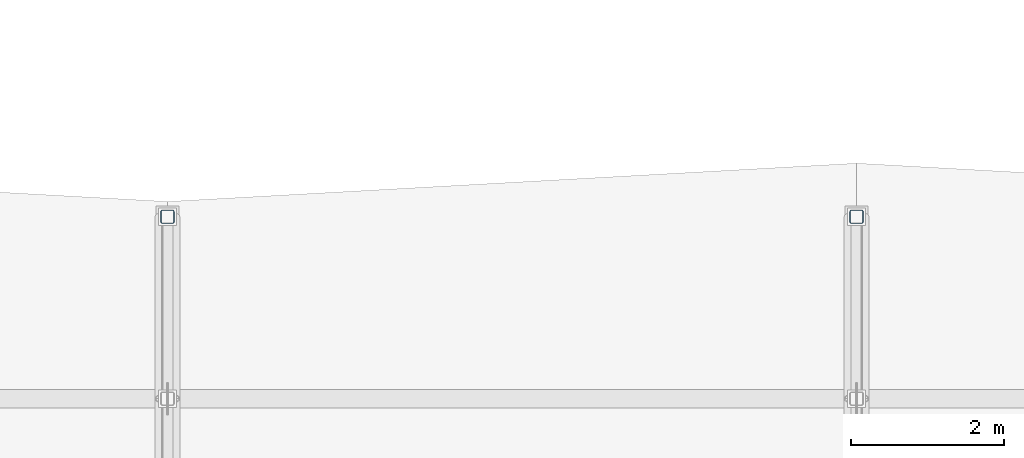
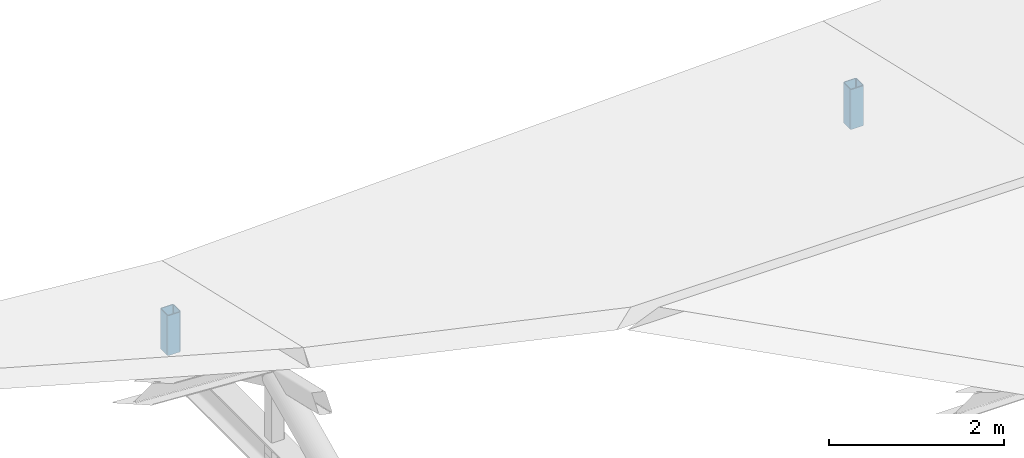
# One storey, part 30 of 61: 2 members.
"""IFC4 building model written with IfcOpenShell, lengths in metres."""

from ifc_helpers import new_model, si_unit, direction, frame, origin, origin_2d, place, context, subcontext, project, spatial, hollow_rectangle, extrude, material, material_profile, profile_set, type_object, element, save


model = new_model("IFC4")

# Units and contexts
model_context = context("Model", 3, precision=1e-05, world=origin(), true_north=direction((0.0, 1.0)))
body_context = subcontext(model_context, "Body", "Model", "MODEL_VIEW")
ifc_project = project(units=[si_unit("LENGTHUNIT", "METRE"), si_unit("AREAUNIT", "SQUARE_METRE"), si_unit("VOLUMEUNIT", "CUBIC_METRE"), si_unit("PLANEANGLEUNIT", "RADIAN"), si_unit("MASSUNIT", "GRAM", prefix="KILO")], contexts=[model_context])

# Site, building, storey
site_placement = place(None, origin())
site = spatial("IfcSite", under=ifc_project, at=site_placement, CompositionType="ELEMENT")
building_placement = place(site_placement, origin())
building = spatial("IfcBuilding", under=site, at=building_placement, Name="Bozkorgan Art Gallery", CompositionType="ELEMENT")
storey_placement = place(building_placement, frame((0.0, 0.0, 10.199951171875)))
storey = spatial("IfcBuildingStorey", under=building, at=storey_placement, Name="L02", CompositionType="ELEMENT", Elevation=10.199951171875)

# Members
ifc_material = material(Name="Steel S355J2", Category="steel")
ifc_material_profile = material_profile(ifc_material, hollow_rectangle(XDim=0.179931640625, YDim=0.179931640625, WallThickness=0.010009765625, InnerFilletRadius=0.014892578125, OuterFilletRadius=0.02490234375, at=origin_2d()), Name="SHS 180x180x10")
ifc_profile_set = profile_set([ifc_material_profile], Name="Steel S355J2")
member_type = type_object("IfcMemberType", Name="MEMBER-TP-98", PredefinedType="POST", material=ifc_profile_set)
for number, where, z_axis, x_axis, name in (
    (1, (11.0, 29.35009765625, 0.22509765625), (0.0, 0.0, 1.0), (1.0, 0.0, 0.0), "ROOF-V1-STEP2 roof truss 2 post 4"),
    (2, (20.0, 29.35009765625, 0.22509765625), (0.0, 0.0, 1.0), (1.0, 0.0, 0.0), "ROOF-V1-STEP2 roof truss 3 post 4"),
):
    element("IfcMember", number, at=place(storey_placement, frame(where, z_axis=z_axis, x_axis=x_axis)), inside=storey, type_object=member_type, Name=name, PredefinedType="POST", context=body_context, shape_type="SweptSolid", body=[
        extrude(hollow_rectangle(XDim=0.179931640625, YDim=0.179931640625, WallThickness=0.010009765625, InnerFilletRadius=0.014892578125, OuterFilletRadius=0.02490234375, at=origin_2d()), origin(), (0.0, 0.0, 1.0), 0.558349609375),
    ])

save(model, "model.ifc")
